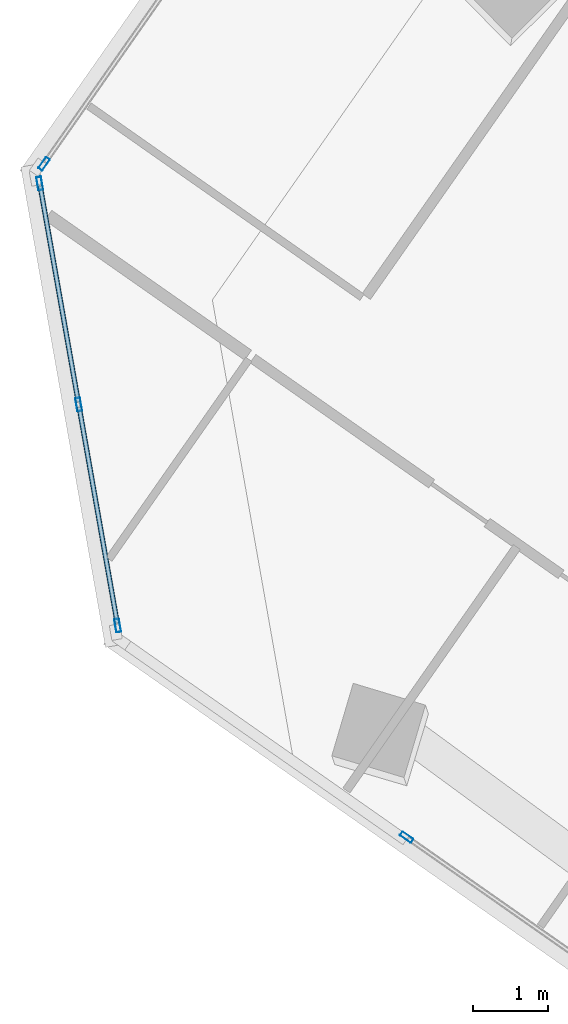
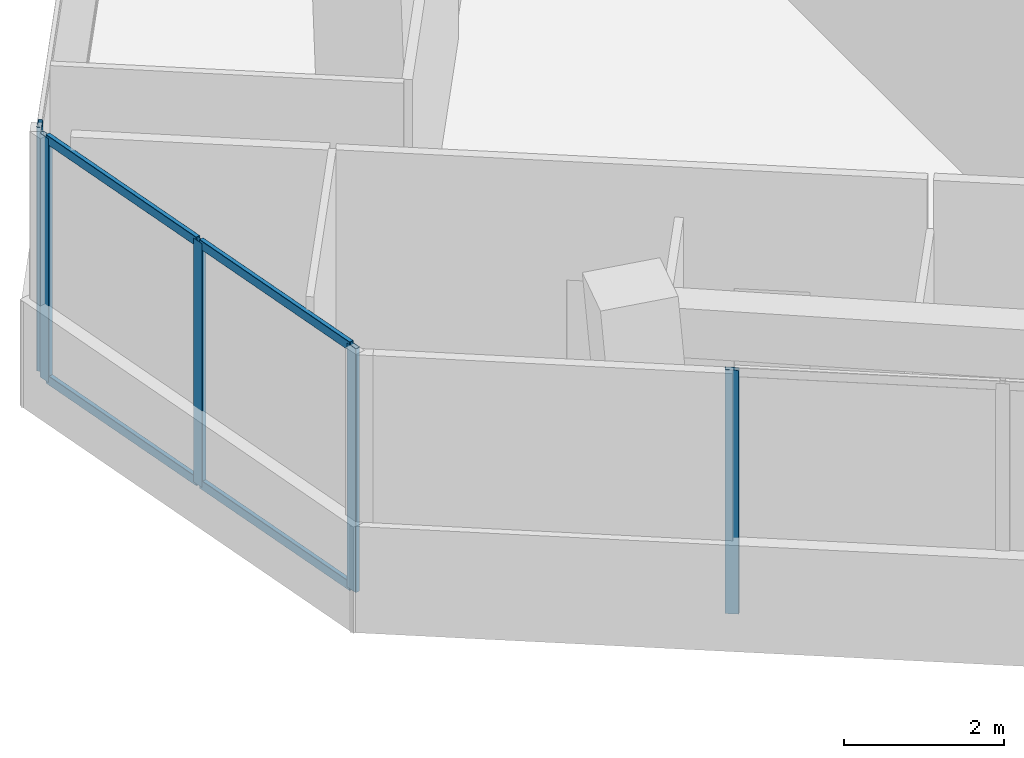
# One storey, part 7 of 22: 9 members, 3 elements without a shape of their own.
"""IFC4 building model written with IfcOpenShell, lengths in metres."""

import ifcopenshell
import ifcopenshell.guid

model = None  # the IFC model being written
_history = None  # IfcOwnerHistory: only IFC2X3 demands one
_inside = {}  # id of a spatial element -> (the spatial element, [elements in it])
_under = {}  # id of a project, library or spatial element -> (it, [spatial elements below it])
_declared = {}  # id of a project -> (the project, [libraries it declares])
_typed = {}  # id of a type object -> (the type object, [elements of that type])
_made_of = {}  # id of a material, layer set ... -> (it, [elements and type objects made of it])


def new_model(schema):
    """Start an empty IFC model of exactly this schema.

    Asked for "IFC4X3", IfcOpenShell would pick the latest addendum, in which some entities
    have other attributes; the version numbers below select the first issue.
    IFC2X3 requires an IfcOwnerHistory on every rooted entity: one is made here for all.
    """
    global model, _history
    if schema == "IFC4X3":
        model = ifcopenshell.file(schema_version=(4, 3, 0, 0))
    else:
        model = ifcopenshell.file(schema=schema)
    _inside.clear()
    _under.clear()
    _declared.clear()
    _typed.clear()
    _made_of.clear()
    _history = None
    if model.schema == "IFC2X3":
        org = make("IfcOrganization", Name="unknown")
        user = make(
            "IfcPersonAndOrganization",
            ThePerson=make("IfcPerson", FamilyName="unknown"),
            TheOrganization=org,
        )
        app = make(
            "IfcApplication",
            ApplicationDeveloper=org,
            Version="unknown",
            ApplicationFullName="unknown",
            ApplicationIdentifier="unknown",
        )
        _history = make(
            "IfcOwnerHistory",
            OwningUser=user,
            OwningApplication=app,
            ChangeAction="ADDED",
            CreationDate=0,
        )
    return model


def make(cls, **values):
    """One entity of the class cls with the attributes given. An attribute that is None is left unset."""
    return model.create_entity(
        cls, **{name: value for name, value in values.items() if value is not None}
    )


def rooted(cls, **values):
    """An entity with a GlobalId (a new one), such as an element, a storey or a relation."""
    return make(cls, GlobalId=ifcopenshell.guid.new(), OwnerHistory=_history, **values)


def si_unit(unit_type, name, prefix=None):
    """IfcSIUnit, for example si_unit("LENGTHUNIT", "METRE", prefix="MILLI")."""
    return make("IfcSIUnit", UnitType=unit_type, Prefix=prefix, Name=name)


def assignment(units):
    """IfcUnitAssignment: the units of a project."""
    return None if units is None else make("IfcUnitAssignment", Units=units)


def point(xyz):
    """IfcCartesianPoint."""
    return None if xyz is None else make("IfcCartesianPoint", Coordinates=xyz)


def direction(xyz):
    """IfcDirection."""
    return None if xyz is None else make("IfcDirection", DirectionRatios=xyz)


def frame(location, z_axis=None, x_axis=None):
    """IfcAxis2Placement3D, a coordinate frame: its origin and axes. An axis left out is left unset."""
    return make(
        "IfcAxis2Placement3D",
        Location=point(location),
        Axis=direction(z_axis),
        RefDirection=direction(x_axis),
    )


def frame_2d(location, x_axis=None):
    """IfcAxis2Placement2D, a coordinate frame in the plane: its origin and x axis."""
    return make(
        "IfcAxis2Placement2D", Location=point(location), RefDirection=direction(x_axis)
    )


def origin():
    """The frame at (0, 0, 0) with its axes left unset."""
    return frame((0.0, 0.0, 0.0))


def origin_2d():
    """The frame at (0, 0) in the plane with its x axis left unset."""
    return frame_2d((0.0, 0.0))


def place(relative_to, where):
    """IfcLocalPlacement: puts the frame where relative to a parent placement (None: the world)."""
    return make(
        "IfcLocalPlacement", PlacementRelTo=relative_to, RelativePlacement=where
    )


def context(
    kind, dimensions, precision=None, world=None, true_north=None, identifier=None
):
    """IfcGeometricRepresentationContext, for example the 3D "Model" context."""
    return make(
        "IfcGeometricRepresentationContext",
        ContextIdentifier=identifier,
        ContextType=kind,
        CoordinateSpaceDimension=dimensions,
        Precision=precision,
        WorldCoordinateSystem=world,
        TrueNorth=true_north,
    )


def subcontext(parent, identifier, kind, view, scale=None):
    """IfcGeometricRepresentationSubContext, for example "Body" below "Model"."""
    return make(
        "IfcGeometricRepresentationSubContext",
        ContextIdentifier=identifier,
        ContextType=kind,
        ParentContext=parent,
        TargetScale=scale,
        TargetView=view,
    )


def project(units=None, contexts=None):
    """IfcProject with its units and contexts."""
    return rooted(
        "IfcProject",
        Name="project",
        RepresentationContexts=contexts,
        UnitsInContext=assignment(units),
    )


def spatial(cls, under=None, at=None, **own):
    """A site, building, storey or space (cls), placed at a placement, below another one or the project."""
    s = rooted(cls, ObjectPlacement=at, **own)
    if under is not None:
        _under.setdefault(under.id(), (under, []))[1].append(s)
    return s


def profile(cls, at=None, kind="AREA", **sizes):
    """A parametric profile (cls). Its sizes go by their IFC names, for example OverallWidth=200.0."""
    return make(cls, ProfileType=kind, Position=at, **sizes)


def hollow_rectangle(**sizes):
    """IfcRectangleHollowProfileDef."""
    return profile("IfcRectangleHollowProfileDef", **sizes)


def extrude(swept, where, along, depth):
    """IfcExtrudedAreaSolid: the profile swept, set in the frame where, extruded along a direction by depth."""
    return make(
        "IfcExtrudedAreaSolid",
        SweptArea=swept,
        Position=where,
        ExtrudedDirection=direction(along),
        Depth=depth,
    )


def shape(context_of_items, identifier, shape_type, items):
    """IfcShapeRepresentation: the items that make up one representation, for example the "Body"."""
    return make(
        "IfcShapeRepresentation",
        ContextOfItems=context_of_items,
        RepresentationIdentifier=identifier,
        RepresentationType=shape_type,
        Items=items,
    )


def source(mapping_origin, context_of_items, identifier, shape_type, items):
    """IfcRepresentationMap: a shape defined once, which mapped items show again and again."""
    return make(
        "IfcRepresentationMap",
        MappingOrigin=mapping_origin,
        MappedRepresentation=shape(context_of_items, identifier, shape_type, items),
    )


def transform(
    local_origin,
    x_axis=None,
    y_axis=None,
    z_axis=None,
    scale=None,
    scale2=None,
    scale3=None,
    uniform=True,
):
    """IfcCartesianTransformationOperator3D, or its non-uniform kind. x_axis, y_axis, z_axis: its Axis1, 2, 3."""
    if uniform:
        return make(
            "IfcCartesianTransformationOperator3D",
            Axis1=direction(x_axis),
            Axis2=direction(y_axis),
            LocalOrigin=point(local_origin),
            Scale=scale,
            Axis3=direction(z_axis),
        )
    return make(
        "IfcCartesianTransformationOperator3DnonUniform",
        Axis1=direction(x_axis),
        Axis2=direction(y_axis),
        LocalOrigin=point(local_origin),
        Scale=scale,
        Axis3=direction(z_axis),
        Scale2=scale2,
        Scale3=scale3,
    )


def mapped(mapping_source, mapping_target):
    """IfcMappedItem: shows the shape of a source again, moved by a transform."""
    return make(
        "IfcMappedItem", MappingSource=mapping_source, MappingTarget=mapping_target
    )


def material(Name=None, Category=None):
    """IfcMaterial."""
    return make("IfcMaterial", Name=Name, Category=Category)


def material_profile(
    of_material, cross_section, Name=None, Category=None, Priority=None
):
    """IfcMaterialProfile: a cross section and its material."""
    return make(
        "IfcMaterialProfile",
        Name=Name,
        Material=of_material,
        Profile=cross_section,
        Priority=Priority,
        Category=Category,
    )


def profile_set(profiles, Name=None, composite=None):
    """IfcMaterialProfileSet."""
    return make(
        "IfcMaterialProfileSet",
        Name=Name,
        MaterialProfiles=profiles,
        CompositeProfile=composite,
    )


def made_of(thing, what):
    """Note that an element or type object is made of a material, layer set ...; save() writes the relation."""
    if what is not None:
        _made_of.setdefault(what.id(), (what, []))[1].append(thing)
    return thing


def type_object(cls, material=None, **own):
    """A type object (cls), such as IfcWallType, which elements share."""
    return made_of(rooted(cls, **own), material)


def element(
    cls,
    number,
    at=None,
    inside=None,
    cuts=None,
    type_object=None,
    material=None,
    context=None,
    identifier="Body",
    shape_type=None,
    held_by="IfcProductDefinitionShape",
    body=None,
    shapes=None,
    **own,
):
    """One element of the class cls, such as IfcWall. Its Tag is "e" and its number.

    at: its placement. inside: the storey or other place that contains it. cuts: it is an
    opening in that element (IfcRelVoidsElement). A single representation is given by context,
    identifier, shape_type and body (its items); several are given by shapes. held_by: the class
    of the entity that holds the representations. save() writes the other relations.
    """
    e = rooted(cls, Tag="e%d" % number, ObjectPlacement=at, **own)
    if body is not None:
        shapes = [shape(context, identifier, shape_type, body)]
    if shapes is not None:
        e.Representation = make(held_by, Representations=shapes)
    if inside is not None:
        _inside.setdefault(inside.id(), (inside, []))[1].append(e)
    if cuts is not None:
        rooted(
            "IfcRelVoidsElement", RelatingBuildingElement=cuts, RelatedOpeningElement=e
        )
    if type_object is not None:
        _typed.setdefault(type_object.id(), (type_object, []))[1].append(e)
    return made_of(e, material)


def aggregate(whole, parts):
    """IfcRelAggregates: a whole, such as a stair, and the parts it consists of."""
    return rooted("IfcRelAggregates", RelatingObject=whole, RelatedObjects=parts)


def save(model, path):
    """Write the relations noted so far, then the file.

    IfcRelAggregates (storeys below a building ...), IfcRelContainedInSpatialStructure (elements
    in a storey), IfcRelDefinesByType, IfcRelAssociatesMaterial and IfcRelDeclares: one each for
    every whole, place, type object, material and project.
    """
    for whole, parts in _under.values():
        aggregate(whole, parts)
    for where, things in _inside.values():
        rooted(
            "IfcRelContainedInSpatialStructure",
            RelatedElements=things,
            RelatingStructure=where,
        )
    for kind, things in _typed.values():
        rooted("IfcRelDefinesByType", RelatedObjects=things, RelatingType=kind)
    for what, things in _made_of.values():
        rooted("IfcRelAssociatesMaterial", RelatedObjects=things, RelatingMaterial=what)
    for by, libraries in _declared.values():
        rooted("IfcRelDeclares", RelatingContext=by, RelatedDefinitions=libraries)
    model.write(path)


model = new_model("IFC4")

# Units and contexts
model_context = context("Model", 3, precision=1e-05, world=origin(), true_north=direction((0.0, 1.0)))
body_context = subcontext(model_context, "Body", "Model", "MODEL_VIEW")
ifc_project = project(units=[si_unit("LENGTHUNIT", "METRE"), si_unit("AREAUNIT", "SQUARE_METRE"), si_unit("VOLUMEUNIT", "CUBIC_METRE"), si_unit("PLANEANGLEUNIT", "RADIAN"), si_unit("MASSUNIT", "GRAM", prefix="KILO")], contexts=[model_context])

# Site, building, storey
site_placement = place(None, origin())
site = spatial("IfcSite", under=ifc_project, at=site_placement, CompositionType="ELEMENT")
building_placement = place(site_placement, origin())
building = spatial("IfcBuilding", under=site, at=building_placement, Name="Torre Montelarca", CompositionType="ELEMENT")
storey_placement = place(building_placement, frame((0.0, 0.0, 196.0)))
storey = spatial("IfcBuildingStorey", under=building, at=storey_placement, Name="L44", CompositionType="ELEMENT", Elevation=196.0)

# Curtain wall, members
ifc_material_1 = material(Name="Insulated low-E laminated glass", Category="glass")
curtain_wall_type = type_object("IfcCurtainWallType", Name="CW-SYS-Z2", PredefinedType="USERDEFINED", material=ifc_material_1)
curtain_wall_1_placement = place(storey_placement, origin())
curtain_wall_1 = element("IfcCurtainWall", 1, at=curtain_wall_1_placement, inside=storey, type_object=curtain_wall_type, Name="L44 Curtain Wall Run CW-T3-L44-E11-B1", ObjectType="UNITISED GLAZING", PredefinedType="USERDEFINED")
ifc_material_2 = material(Name="Anodised aluminium AA 6063-T6", Category="aluminium")
ifc_material_profile_1 = material_profile(ifc_material_2, hollow_rectangle(XDim=0.06494140625, YDim=0.139892578125, WallThickness=0.00390625, InnerFilletRadius=0.00390625, OuterFilletRadius=0.008056640625, at=origin_2d()), Name="ALU65X140X4", Category="aluminium")
ifc_profile_set_1 = profile_set([ifc_material_profile_1], Name="Anodised aluminium AA 6063-T6")
member_type_1 = type_object("IfcMemberType", Name="CWT-ALU140", PredefinedType="USERDEFINED", material=ifc_profile_set_1)
shared_shape_1 = source(origin(), body_context, "Body", "SweptSolid", [
    extrude(hollow_rectangle(XDim=0.06494140625, YDim=0.139892578125, WallThickness=0.00390625, InnerFilletRadius=0.00390625, OuterFilletRadius=0.008056640625, at=origin_2d()), origin(), (0.0, 0.0, 1.0), 2.918701171875),
])
member_1_placement = place(storey_placement, frame((-3.146240234375, 32.44580078125, 0.032470703125), z_axis=(0.173656489641, -0.984806287351, 0.0), x_axis=(0.984806287351, 0.173656489641, 0.0)))
member_1 = element("IfcMember", 2, at=member_1_placement, type_object=member_type_1, Name="CW transom 1.1", ObjectType="TRANSOM", PredefinedType="USERDEFINED", context=body_context, shape_type="MappedRepresentation", body=[
    mapped(shared_shape_1, transform((0.0, 0.0, 0.0), scale=1.0)),
])
member_2_placement = place(storey_placement, frame((-3.146240234375, 32.44580078125, 3.6875), z_axis=(0.173656489641, -0.984806287351, 0.0), x_axis=(0.984806287351, 0.173656489641, 0.0)))
member_2 = element("IfcMember", 3, at=member_2_placement, type_object=member_type_1, Name="CW transom 1.2", ObjectType="TRANSOM", PredefinedType="USERDEFINED", context=body_context, shape_type="MappedRepresentation", body=[
    mapped(shared_shape_1, transform((0.0, 0.0, 0.0), scale=1.0)),
])
shared_shape_2 = source(origin(), body_context, "Body", "SweptSolid", [
    extrude(hollow_rectangle(XDim=0.06494140625, YDim=0.139892578125, WallThickness=0.00390625, InnerFilletRadius=0.00390625, OuterFilletRadius=0.008056640625, at=origin_2d()), origin(), (0.0, 0.0, 1.0), 2.91845703125),
])
member_3_placement = place(storey_placement, frame((-2.628173828125, 29.507568359375, 0.032470703125), z_axis=(0.173575360896, -0.984820589798, 0.0), x_axis=(0.984820589798, 0.173575360896, 0.0)))
member_3 = element("IfcMember", 4, at=member_3_placement, type_object=member_type_1, Name="CW transom 2.1", ObjectType="TRANSOM", PredefinedType="USERDEFINED", context=body_context, shape_type="MappedRepresentation", body=[
    mapped(shared_shape_2, transform((0.0, 0.0, 0.0), scale=1.0)),
])
member_4_placement = place(storey_placement, frame((-2.628173828125, 29.507568359375, 3.6875), z_axis=(0.173575360896, -0.984820589798, 0.0), x_axis=(0.984820589798, 0.173575360896, 0.0)))
member_4 = element("IfcMember", 5, at=member_4_placement, type_object=member_type_1, Name="CW transom 2.2", ObjectType="TRANSOM", PredefinedType="USERDEFINED", context=body_context, shape_type="MappedRepresentation", body=[
    mapped(shared_shape_2, transform((0.0, 0.0, 0.0), scale=1.0)),
])

# Curtain wall, member
curtain_wall_2_placement = place(storey_placement, origin())
curtain_wall_2 = element("IfcCurtainWall", 6, at=curtain_wall_2_placement, inside=storey, type_object=curtain_wall_type, Name="L44 Curtain Wall Run CW-T3-L44-E01-B1", ObjectType="UNITISED GLAZING", PredefinedType="USERDEFINED")
ifc_material_profile_2 = material_profile(ifc_material_2, hollow_rectangle(XDim=0.06494140625, YDim=0.179931640625, WallThickness=0.00390625, InnerFilletRadius=0.00390625, OuterFilletRadius=0.008056640625, at=origin_2d()), Name="ALU65X180X4", Category="aluminium")
ifc_profile_set_2 = profile_set([ifc_material_profile_2], Name="Anodised aluminium AA 6063-T6")
member_type_2 = type_object("IfcMemberType", Name="CWM-ALU180", PredefinedType="MULLION", material=ifc_profile_set_2)
shared_shape_3 = source(origin(), body_context, "Body", "SweptSolid", [
    extrude(hollow_rectangle(XDim=0.06494140625, YDim=0.179931640625, WallThickness=0.00390625, InnerFilletRadius=0.00390625, OuterFilletRadius=0.008056640625, at=origin_2d()), origin(), (0.0, 0.0, 1.0), 3.719970703125),
])
member_5_placement = place(storey_placement, frame((1.725341796875, 23.786865234375, 0.0), z_axis=(0.0, 0.0, 1.0), x_axis=(0.573568109864, 0.819157874495, 0.0)))
member_5 = element("IfcMember", 7, at=member_5_placement, type_object=member_type_2, Name="CW mullion 1", PredefinedType="MULLION", context=body_context, shape_type="MappedRepresentation", body=[
    mapped(shared_shape_3, transform((0.0, 0.0, 0.0), scale=1.0)),
])
aggregate(curtain_wall_2, [member_5])

curtain_wall_3_placement = place(storey_placement, origin())
curtain_wall_3 = element("IfcCurtainWall", 8, at=curtain_wall_3_placement, inside=storey, type_object=curtain_wall_type, Name="L44 Curtain Wall Run CW-T3-L44-E10-B1", ObjectType="UNITISED GLAZING", PredefinedType="USERDEFINED")
member_6_placement = place(storey_placement, frame((-3.093994140625, 32.738525390625, 0.0), z_axis=(0.0, 0.0, 1.0), x_axis=(0.81915751291, -0.573568626271, 0.0)))
member_6 = element("IfcMember", 9, at=member_6_placement, type_object=member_type_2, Name="CW mullion 3", PredefinedType="MULLION", context=body_context, shape_type="MappedRepresentation", body=[
    mapped(shared_shape_3, transform((0.0, 0.0, 0.0), scale=1.0)),
])
aggregate(curtain_wall_3, [member_6])

# Member
member_7_placement = place(storey_placement, frame((-3.15185546875, 32.477783203125, 0.0), z_axis=(0.0, 0.0, 1.0), x_axis=(0.984812584282, 0.173620775944, 0.0)))
member_7 = element("IfcMember", 10, at=member_7_placement, type_object=member_type_2, Name="CW mullion 1", PredefinedType="MULLION", context=body_context, shape_type="MappedRepresentation", body=[
    mapped(shared_shape_3, transform((0.0, 0.0, 0.0), scale=1.0)),
])

member_8_placement = place(storey_placement, frame((-2.6337890625, 29.53955078125, 0.0), z_axis=(0.0, 0.0, 1.0), x_axis=(0.984812584282, 0.173620775944, 0.0)))
member_8 = element("IfcMember", 11, at=member_8_placement, type_object=member_type_2, Name="CW mullion 2", PredefinedType="MULLION", context=body_context, shape_type="MappedRepresentation", body=[
    mapped(shared_shape_3, transform((0.0, 0.0, 0.0), scale=1.0)),
])

member_9_placement = place(storey_placement, frame((-2.11572265625, 26.601318359375, 0.0), z_axis=(0.0, 0.0, 1.0), x_axis=(0.984812584282, 0.173620775944, 0.0)))
member_9 = element("IfcMember", 12, at=member_9_placement, type_object=member_type_2, Name="CW mullion 3", PredefinedType="MULLION", context=body_context, shape_type="MappedRepresentation", body=[
    mapped(shared_shape_3, transform((0.0, 0.0, 0.0), scale=1.0)),
])

aggregate(curtain_wall_1, [member_7, member_8, member_9, member_1, member_2, member_3, member_4])

save(model, "model.ifc")
